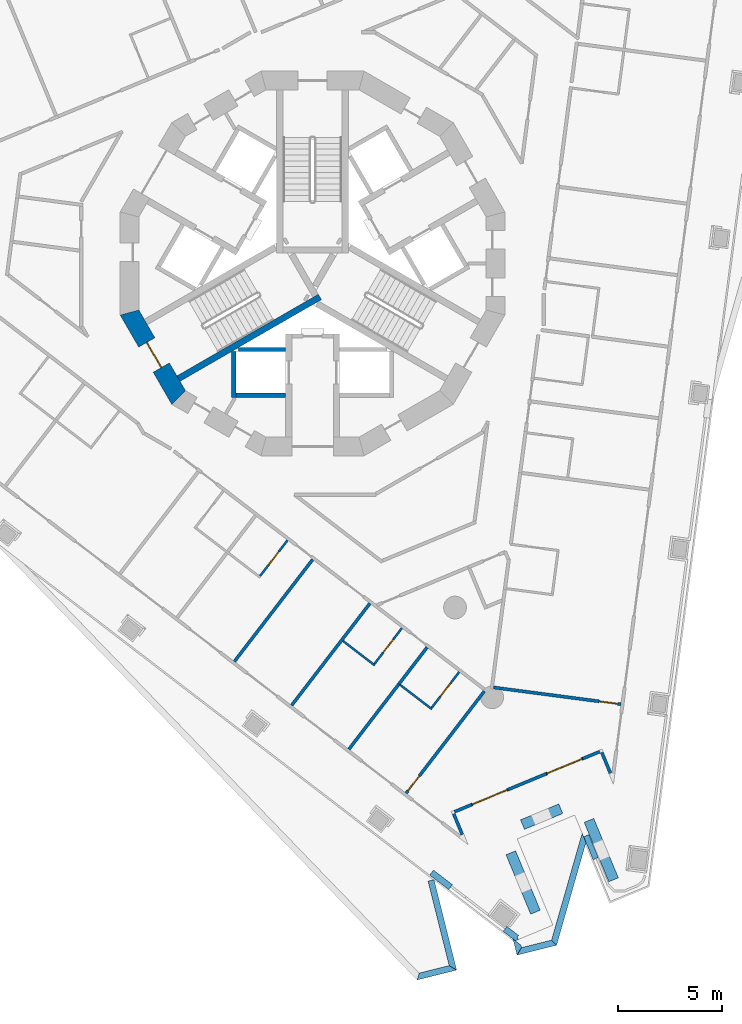
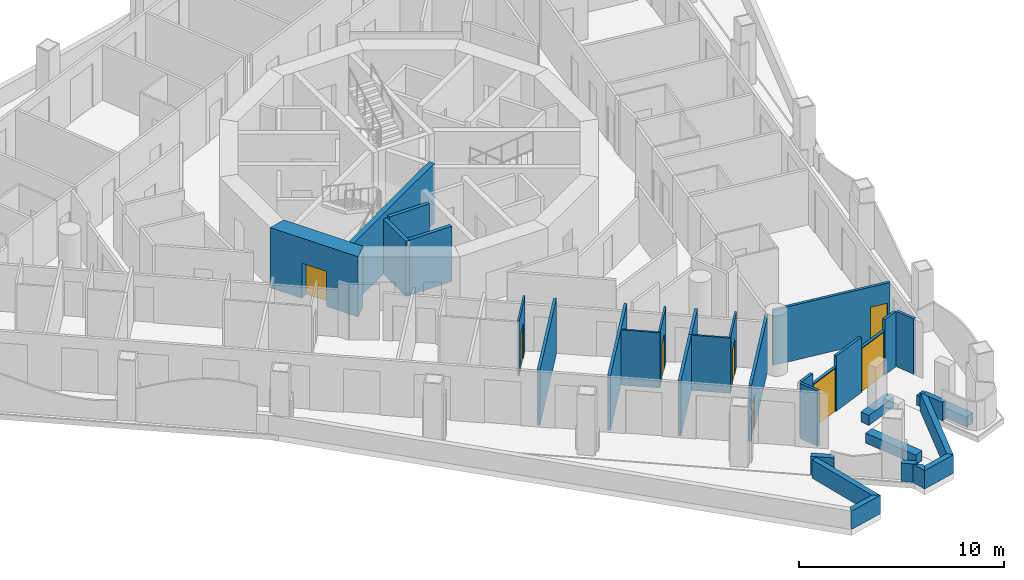
# One storey, part 3 of 19: 34 walls, 8 doors, 8 openings.
"""IFC4 building model written with IfcOpenShell, lengths in metres."""

import ifcopenshell
import ifcopenshell.guid

model = None  # the IFC model being written
_history = None  # IfcOwnerHistory: only IFC2X3 demands one
_inside = {}  # id of a spatial element -> (the spatial element, [elements in it])
_under = {}  # id of a project, library or spatial element -> (it, [spatial elements below it])
_declared = {}  # id of a project -> (the project, [libraries it declares])
_typed = {}  # id of a type object -> (the type object, [elements of that type])
_made_of = {}  # id of a material, layer set ... -> (it, [elements and type objects made of it])


def new_model(schema):
    """Start an empty IFC model of exactly this schema.

    Asked for "IFC4X3", IfcOpenShell would pick the latest addendum, in which some entities
    have other attributes; the version numbers below select the first issue.
    IFC2X3 requires an IfcOwnerHistory on every rooted entity: one is made here for all.
    """
    global model, _history
    if schema == "IFC4X3":
        model = ifcopenshell.file(schema_version=(4, 3, 0, 0))
    else:
        model = ifcopenshell.file(schema=schema)
    _inside.clear()
    _under.clear()
    _declared.clear()
    _typed.clear()
    _made_of.clear()
    _history = None
    if model.schema == "IFC2X3":
        org = make("IfcOrganization", Name="unknown")
        user = make(
            "IfcPersonAndOrganization",
            ThePerson=make("IfcPerson", FamilyName="unknown"),
            TheOrganization=org,
        )
        app = make(
            "IfcApplication",
            ApplicationDeveloper=org,
            Version="unknown",
            ApplicationFullName="unknown",
            ApplicationIdentifier="unknown",
        )
        _history = make(
            "IfcOwnerHistory",
            OwningUser=user,
            OwningApplication=app,
            ChangeAction="ADDED",
            CreationDate=0,
        )
    return model


def make(cls, **values):
    """One entity of the class cls with the attributes given. An attribute that is None is left unset."""
    return model.create_entity(
        cls, **{name: value for name, value in values.items() if value is not None}
    )


def rooted(cls, **values):
    """An entity with a GlobalId (a new one), such as an element, a storey or a relation."""
    return make(cls, GlobalId=ifcopenshell.guid.new(), OwnerHistory=_history, **values)


def si_unit(unit_type, name, prefix=None):
    """IfcSIUnit, for example si_unit("LENGTHUNIT", "METRE", prefix="MILLI")."""
    return make("IfcSIUnit", UnitType=unit_type, Prefix=prefix, Name=name)


def assignment(units):
    """IfcUnitAssignment: the units of a project."""
    return None if units is None else make("IfcUnitAssignment", Units=units)


def point(xyz):
    """IfcCartesianPoint."""
    return None if xyz is None else make("IfcCartesianPoint", Coordinates=xyz)


def direction(xyz):
    """IfcDirection."""
    return None if xyz is None else make("IfcDirection", DirectionRatios=xyz)


def frame(location, z_axis=None, x_axis=None):
    """IfcAxis2Placement3D, a coordinate frame: its origin and axes. An axis left out is left unset."""
    return make(
        "IfcAxis2Placement3D",
        Location=point(location),
        Axis=direction(z_axis),
        RefDirection=direction(x_axis),
    )


def frame_2d(location, x_axis=None):
    """IfcAxis2Placement2D, a coordinate frame in the plane: its origin and x axis."""
    return make(
        "IfcAxis2Placement2D", Location=point(location), RefDirection=direction(x_axis)
    )


def origin():
    """The frame at (0, 0, 0) with its axes left unset."""
    return frame((0.0, 0.0, 0.0))


def place(relative_to, where):
    """IfcLocalPlacement: puts the frame where relative to a parent placement (None: the world)."""
    return make(
        "IfcLocalPlacement", PlacementRelTo=relative_to, RelativePlacement=where
    )


def context(
    kind, dimensions, precision=None, world=None, true_north=None, identifier=None
):
    """IfcGeometricRepresentationContext, for example the 3D "Model" context."""
    return make(
        "IfcGeometricRepresentationContext",
        ContextIdentifier=identifier,
        ContextType=kind,
        CoordinateSpaceDimension=dimensions,
        Precision=precision,
        WorldCoordinateSystem=world,
        TrueNorth=true_north,
    )


def subcontext(parent, identifier, kind, view, scale=None):
    """IfcGeometricRepresentationSubContext, for example "Body" below "Model"."""
    return make(
        "IfcGeometricRepresentationSubContext",
        ContextIdentifier=identifier,
        ContextType=kind,
        ParentContext=parent,
        TargetScale=scale,
        TargetView=view,
    )


def project(units=None, contexts=None):
    """IfcProject with its units and contexts."""
    return rooted(
        "IfcProject",
        Name="project",
        RepresentationContexts=contexts,
        UnitsInContext=assignment(units),
    )


def spatial(cls, under=None, at=None, **own):
    """A site, building, storey or space (cls), placed at a placement, below another one or the project."""
    s = rooted(cls, ObjectPlacement=at, **own)
    if under is not None:
        _under.setdefault(under.id(), (under, []))[1].append(s)
    return s


def polyline(points):
    """IfcPolyline through the points."""
    return make("IfcPolyline", Points=[point(p) for p in points])


def profile(cls, at=None, kind="AREA", **sizes):
    """A parametric profile (cls). Its sizes go by their IFC names, for example OverallWidth=200.0."""
    return make(cls, ProfileType=kind, Position=at, **sizes)


def rectangle(**sizes):
    """IfcRectangleProfileDef."""
    return profile("IfcRectangleProfileDef", **sizes)


def outline(outer, holes=None, kind="AREA"):
    """IfcArbitraryClosedProfileDef: a profile drawn as a closed curve; with holes, ...WithVoids."""
    if holes is None:
        return make("IfcArbitraryClosedProfileDef", ProfileType=kind, OuterCurve=outer)
    return make(
        "IfcArbitraryProfileDefWithVoids",
        ProfileType=kind,
        OuterCurve=outer,
        InnerCurves=holes,
    )


def extrude(swept, where, along, depth):
    """IfcExtrudedAreaSolid: the profile swept, set in the frame where, extruded along a direction by depth."""
    return make(
        "IfcExtrudedAreaSolid",
        SweptArea=swept,
        Position=where,
        ExtrudedDirection=direction(along),
        Depth=depth,
    )


def shape(context_of_items, identifier, shape_type, items):
    """IfcShapeRepresentation: the items that make up one representation, for example the "Body"."""
    return make(
        "IfcShapeRepresentation",
        ContextOfItems=context_of_items,
        RepresentationIdentifier=identifier,
        RepresentationType=shape_type,
        Items=items,
    )


def material(Name=None, Category=None):
    """IfcMaterial."""
    return make("IfcMaterial", Name=Name, Category=Category)


def layer(
    of_material, thickness, ventilated=None, Name=None, Category=None, Priority=None
):
    """IfcMaterialLayer: one layer of a wall or slab, of a material (None: an air gap)."""
    return make(
        "IfcMaterialLayer",
        Material=of_material,
        LayerThickness=thickness,
        IsVentilated=ventilated,
        Name=Name,
        Category=Category,
        Priority=Priority,
    )


def layer_set(layers, Name=None):
    """IfcMaterialLayerSet."""
    return make("IfcMaterialLayerSet", MaterialLayers=layers, LayerSetName=Name)


def made_of(thing, what):
    """Note that an element or type object is made of a material, layer set ...; save() writes the relation."""
    if what is not None:
        _made_of.setdefault(what.id(), (what, []))[1].append(thing)
    return thing


def type_object(cls, material=None, **own):
    """A type object (cls), such as IfcWallType, which elements share."""
    return made_of(rooted(cls, **own), material)


def element(
    cls,
    number,
    at=None,
    inside=None,
    cuts=None,
    type_object=None,
    material=None,
    context=None,
    identifier="Body",
    shape_type=None,
    held_by="IfcProductDefinitionShape",
    body=None,
    shapes=None,
    **own,
):
    """One element of the class cls, such as IfcWall. Its Tag is "e" and its number.

    at: its placement. inside: the storey or other place that contains it. cuts: it is an
    opening in that element (IfcRelVoidsElement). A single representation is given by context,
    identifier, shape_type and body (its items); several are given by shapes. held_by: the class
    of the entity that holds the representations. save() writes the other relations.
    """
    e = rooted(cls, Tag="e%d" % number, ObjectPlacement=at, **own)
    if body is not None:
        shapes = [shape(context, identifier, shape_type, body)]
    if shapes is not None:
        e.Representation = make(held_by, Representations=shapes)
    if inside is not None:
        _inside.setdefault(inside.id(), (inside, []))[1].append(e)
    if cuts is not None:
        rooted(
            "IfcRelVoidsElement", RelatingBuildingElement=cuts, RelatedOpeningElement=e
        )
    if type_object is not None:
        _typed.setdefault(type_object.id(), (type_object, []))[1].append(e)
    return made_of(e, material)


def fill(opening, filler):
    """IfcRelFillsElement: the door or window that sits in an opening."""
    return rooted(
        "IfcRelFillsElement",
        RelatingOpeningElement=opening,
        RelatedBuildingElement=filler,
    )


def aggregate(whole, parts):
    """IfcRelAggregates: a whole, such as a stair, and the parts it consists of."""
    return rooted("IfcRelAggregates", RelatingObject=whole, RelatedObjects=parts)


def save(model, path):
    """Write the relations noted so far, then the file.

    IfcRelAggregates (storeys below a building ...), IfcRelContainedInSpatialStructure (elements
    in a storey), IfcRelDefinesByType, IfcRelAssociatesMaterial and IfcRelDeclares: one each for
    every whole, place, type object, material and project.
    """
    for whole, parts in _under.values():
        aggregate(whole, parts)
    for where, things in _inside.values():
        rooted(
            "IfcRelContainedInSpatialStructure",
            RelatedElements=things,
            RelatingStructure=where,
        )
    for kind, things in _typed.values():
        rooted("IfcRelDefinesByType", RelatedObjects=things, RelatingType=kind)
    for what, things in _made_of.values():
        rooted("IfcRelAssociatesMaterial", RelatedObjects=things, RelatingMaterial=what)
    for by, libraries in _declared.values():
        rooted("IfcRelDeclares", RelatingContext=by, RelatedDefinitions=libraries)
    model.write(path)


model = new_model("IFC4")

# Units and contexts
model_context = context("Model", 3, precision=1e-05, world=origin(), true_north=direction((0.0, 1.0)))
body_context = subcontext(model_context, "Body", "Model", "MODEL_VIEW")
ifc_project = project(units=[si_unit("LENGTHUNIT", "METRE"), si_unit("AREAUNIT", "SQUARE_METRE"), si_unit("VOLUMEUNIT", "CUBIC_METRE"), si_unit("PLANEANGLEUNIT", "RADIAN"), si_unit("MASSUNIT", "GRAM", prefix="KILO")], contexts=[model_context])

# Site, building, storey
site_placement = place(None, origin())
site = spatial("IfcSite", under=ifc_project, at=site_placement, CompositionType="ELEMENT")
building_placement = place(site_placement, origin())
building = spatial("IfcBuilding", under=site, at=building_placement, Name="Trine Commons Tower", CompositionType="ELEMENT")
storey_placement = place(building_placement, frame((0.0, 0.0, 124.199951171875)))
storey = spatial("IfcBuildingStorey", under=building, at=storey_placement, Name="L31", CompositionType="ELEMENT", Elevation=124.199951171875)

# Walls
ifc_material_1 = material(Name="Aluminium-framed insulated wall panel", Category="aluminium")
ifc_layer_1 = layer(ifc_material_1, 0.14990234375)
ifc_layer_set_1 = layer_set([ifc_layer_1], Name="Aluminium-framed insulated wall panel")
wall_type_1 = type_object("IfcWallType", Name="Glazed frame wall 150, EI 60", PredefinedType="SOLIDWALL", material=ifc_layer_set_1)
wall_1_placement = place(storey_placement, frame((94.42041015625, 37.78564453125, 0.0), z_axis=(0.0, 0.0, 1.0), x_axis=(-0.382629665579, 0.923901801611, 0.0)))
element("IfcWall", 1, at=wall_1_placement, inside=storey, type_object=wall_type_1, Name="Glazed frame wall R9", PredefinedType="SOLIDWALL", context=body_context, shape_type="SweptSolid", body=[
    extrude(outline(polyline([(0.1494140625, 0.074951171875), (0.1494140625, -0.074951171875), (1.235107421875, -0.074951171875), (1.235107421875, 0.074951171875), (0.1494140625, 0.074951171875)])), origin(), (0.0, 0.0, 1.0), 3.300048828125),
])
wall_2_placement = place(storey_placement, frame((93.951416015625, 39.009521484375, 0.0), z_axis=(0.0, 0.0, 1.0), x_axis=(-0.923826362943, -0.382811769845, 0.0)))
element("IfcWall", 2, at=wall_2_placement, inside=storey, type_object=wall_type_1, Name="Glazed frame wall P3.1", PredefinedType="SOLIDWALL", context=body_context, shape_type="SweptSolid", body=[
    extrude(outline(polyline([(0.110107421875, -0.074951171875), (1.0, -0.074951171875), (1.0, 0.074951171875), (0.110107421875, 0.074951171875), (0.110107421875, -0.074951171875)])), origin(), (0.0, 0.0, 1.0), 3.300048828125),
])

# Wall, opening, door
wall_3_placement = place(storey_placement, frame((93.027587890625, 38.626708984375, 0.0), z_axis=(0.0, 0.0, 1.0), x_axis=(-0.923888414498, -0.382661988648, 0.0)))
wall_3 = element("IfcWall", 3, at=wall_3_placement, inside=storey, type_object=wall_type_1, Name="Glazed frame wall P3.2", PredefinedType="SOLIDWALL", context=body_context, shape_type="SweptSolid", body=[
    extrude(outline(polyline([(0.0, -0.074951171875), (1.89990234375, -0.074951171875), (1.89990234375, 0.074951171875), (0.0, 0.074951171875), (0.0, -0.074951171875)])), origin(), (0.0, 0.0, 1.0), 2.650146484375),
])
opening_1_placement = place(wall_3_placement, frame((0.050048828125, 0.0, 0.0)))
opening_1 = element("IfcOpeningElement", 4, at=opening_1_placement, cuts=wall_3, Name="Opening BD-4P3-01", PredefinedType="OPENING", context=body_context, shape_type="SweptSolid", body=[
    extrude(rectangle(XDim=1.800048828125, YDim=2.60009765625, at=frame_2d((0.89990234375, 1.300048828125))), frame((0.0, 0.0849609375, 0.0), z_axis=(0.0, -1.0, 0.0), x_axis=(1.0, 0.0, 0.0)), (0.0, 0.0, 1.0), 0.169921875),
])
ifc_material_2 = material(Name="Anodised aluminium frame with double glazing", Category="aluminium")
door_type_1 = type_object("IfcDoorType", Name="Sliding loggia door 1800x2600", OperationType="SLIDING_TO_LEFT", PredefinedType="DOOR", material=ifc_material_2)
door_1_placement = place(opening_1_placement, origin())
door_1 = element("IfcDoor", 5, at=door_1_placement, inside=storey, type_object=door_type_1, Name="Loggia door P3 1", OperationType="SLIDING_TO_LEFT", OverallHeight=2.60009765625, OverallWidth=1.800048828125, PredefinedType="DOOR", context=body_context, shape_type="SweptSolid", body=[
    extrude(rectangle(XDim=1.800048828125, YDim=2.60009765625, at=frame_2d((0.89990234375, 1.300048828125))), frame((0.0, 0.02490234375, 0.0), z_axis=(0.0, -1.0, 0.0), x_axis=(1.0, 0.0, 0.0)), (0.0, 0.0, 1.0), 0.050048828125),
])
fill(opening_1, door_1)

# Wall
wall_4_placement = place(storey_placement, frame((91.272216796875, 37.899658203125, 0.0), z_axis=(0.0, 0.0, 1.0), x_axis=(-0.923887406181, -0.382664423091, 0.0)))
element("IfcWall", 6, at=wall_4_placement, inside=storey, type_object=wall_type_1, Name="Glazed frame wall P3.3", PredefinedType="SOLIDWALL", context=body_context, shape_type="SweptSolid", body=[
    extrude(outline(polyline([(0.0, -0.074951171875), (2.0, -0.074951171875), (2.0, 0.074951171875), (0.0, 0.074951171875), (0.0, -0.074951171875)])), origin(), (0.0, 0.0, 1.0), 3.300048828125),
])

# Wall, opening, door
wall_5_placement = place(storey_placement, frame((89.42431640625, 37.13427734375, 0.0), z_axis=(0.0, 0.0, 1.0), x_axis=(-0.923869595408, -0.382707421773, 0.0)))
wall_5 = element("IfcWall", 7, at=wall_5_placement, inside=storey, type_object=wall_type_1, Name="Glazed frame wall P3.4", PredefinedType="SOLIDWALL", context=body_context, shape_type="SweptSolid", body=[
    extrude(outline(polyline([(0.0, -0.074951171875), (1.89990234375, -0.074951171875), (1.89990234375, 0.074951171875), (0.0, 0.074951171875), (0.0, -0.074951171875)])), origin(), (0.0, 0.0, 1.0), 2.650146484375),
])
opening_2_placement = place(wall_5_placement, frame((0.050048828125, 0.0, 0.0)))
opening_2 = element("IfcOpeningElement", 8, at=opening_2_placement, cuts=wall_5, Name="Opening BD-4P3-02", PredefinedType="OPENING", context=body_context, shape_type="SweptSolid", body=[
    extrude(rectangle(XDim=1.800048828125, YDim=2.60009765625, at=frame_2d((0.89990234375, 1.300048828125))), frame((0.0, 0.0849609375, 0.0), z_axis=(0.0, -1.0, 0.0), x_axis=(1.0, 0.0, 0.0)), (0.0, 0.0, 1.0), 0.169921875),
])
door_2_placement = place(opening_2_placement, origin())
door_2 = element("IfcDoor", 9, at=door_2_placement, inside=storey, type_object=door_type_1, Name="Loggia door P3 2", OperationType="SLIDING_TO_LEFT", OverallHeight=2.60009765625, OverallWidth=1.800048828125, PredefinedType="DOOR", context=body_context, shape_type="SweptSolid", body=[
    extrude(rectangle(XDim=1.800048828125, YDim=2.60009765625, at=frame_2d((0.89990234375, 1.300048828125))), frame((0.0, 0.02490234375, 0.0), z_axis=(0.0, -1.0, 0.0), x_axis=(1.0, 0.0, 0.0)), (0.0, 0.0, 1.0), 0.050048828125),
])
fill(opening_2, door_2)

# Walls
wall_6_placement = place(storey_placement, frame((87.669189453125, 36.4072265625, 0.0), z_axis=(0.0, 0.0, 1.0), x_axis=(-0.923862128325, -0.382725447084, 0.0)))
element("IfcWall", 10, at=wall_6_placement, inside=storey, type_object=wall_type_1, Name="Glazed frame wall P3.5", PredefinedType="SOLIDWALL", context=body_context, shape_type="SweptSolid", body=[
    extrude(outline(polyline([(0.889892578125, 0.074951171875), (0.0, 0.074951171875), (0.0, -0.074951171875), (0.889892578125, -0.074951171875), (0.889892578125, 0.074951171875)])), origin(), (0.0, 0.0, 1.0), 3.300048828125),
])
wall_7_placement = place(storey_placement, frame((86.76416015625, 36.0703125, 0.0), z_axis=(0.0, 0.0, 1.0), x_axis=(0.382629665579, -0.923901801611, 0.0)))
element("IfcWall", 11, at=wall_7_placement, inside=storey, type_object=wall_type_1, Name="Glazed frame wall R11", PredefinedType="SOLIDWALL", context=body_context, shape_type="SweptSolid", body=[
    extrude(outline(polyline([(0.110107421875, 0.074951171875), (0.110107421875, -0.074951171875), (1.19580078125, -0.074951171875), (1.19580078125, 0.074951171875), (0.110107421875, 0.074951171875)])), origin(), (0.0, 0.0, 1.0), 3.300048828125),
])
ifc_material_3 = material(Name="Planter trough, precast concrete C40/50", Category="concrete")
ifc_layer_2 = layer(ifc_material_3, 0.5)
ifc_layer_set_2 = layer_set([ifc_layer_2], Name="Planter trough, precast concrete C40/50")
wall_type_2 = type_object("IfcWallType", Name="Planter trough 500x600", PredefinedType="PARAPET", material=ifc_layer_set_2)
wall_8_placement = place(storey_placement, frame((94.515625, 32.78662109375, 0.0), z_axis=(0.0, 0.0, 1.0), x_axis=(-0.382674068277, 0.923883411188, 0.0)))
element("IfcWall", 12, at=wall_8_placement, inside=storey, type_object=wall_type_2, Name="Planter 7", PredefinedType="PARAPET", context=body_context, shape_type="SweptSolid", body=[
    extrude(rectangle(XDim=3.099853515625, YDim=0.5, at=frame_2d((1.5498046875, 0.0))), origin(), (0.0, 0.0, 1.0), 0.60009765625),
])
wall_9_placement = place(storey_placement, frame((91.970703125, 36.21337890625, 0.0), z_axis=(0.0, 0.0, 1.0), x_axis=(-0.923930555985, -0.382560227567, 0.0)))
element("IfcWall", 13, at=wall_9_placement, inside=storey, type_object=wall_type_2, Name="Planter 8", PredefinedType="PARAPET", context=body_context, shape_type="SweptSolid", body=[
    extrude(rectangle(XDim=2.0, YDim=0.5, at=frame_2d((1.0, 0.0))), origin(), (0.0, 0.0, 1.0), 0.60009765625),
])
wall_10_placement = place(storey_placement, frame((89.56005859375, 34.08935546875, 0.0), z_axis=(0.0, 0.0, 1.0), x_axis=(0.382674068277, -0.923883411188, 0.0)))
element("IfcWall", 14, at=wall_10_placement, inside=storey, type_object=wall_type_2, Name="Planter 9", PredefinedType="PARAPET", context=body_context, shape_type="SweptSolid", body=[
    extrude(rectangle(XDim=3.099853515625, YDim=0.5, at=frame_2d((1.5498046875, 0.0))), origin(), (0.0, 0.0, 1.0), 0.60009765625),
])
ifc_material_4 = material(Name="Concrete C70/85", Category="concrete")
ifc_layer_3 = layer(ifc_material_4, 0.300048828125)
ifc_layer_set_3 = layer_set([ifc_layer_3], Name="Concrete C70/85")
wall_type_3 = type_object("IfcWallType", Name="RC shear wall 300 mm, C70/85", PredefinedType="SHEAR", material=ifc_layer_set_3)
wall_11_placement = place(storey_placement, frame((80.35400390625, 60.885986328125, 0.0), z_axis=(0.0, 0.0, 1.0), x_axis=(-0.866047706748, -0.499961368145, 0.0)))
element("IfcWall", 15, at=wall_11_placement, inside=storey, type_object=wall_type_3, Name="Core cross wall SWB-14 L31", PredefinedType="SHEAR", context=body_context, shape_type="SweptSolid", body=[
    extrude(rectangle(XDim=7.87255859375, YDim=0.300048828125, at=frame_2d((3.936279296875, 0.0))), origin(), (0.0, 0.0, 1.0), 3.60009765625),
])

# Wall, opening, door
ifc_layer_4 = layer(ifc_material_4, 0.89990234375)
ifc_layer_set_4 = layer_set([ifc_layer_4], Name="Concrete C70/85")
wall_type_4 = type_object("IfcWallType", Name="RC shear wall 900 mm, C70/85", PredefinedType="SHEAR", material=ifc_layer_set_4)
wall_12_placement = place(storey_placement, frame((71.11669921875, 60.240234375, 0.0), z_axis=(0.0, 0.0, 1.0), x_axis=(0.500038571144, -0.866003133579, 0.0)))
wall_12 = element("IfcWall", 16, at=wall_12_placement, inside=storey, type_object=wall_type_4, Name="Core wall CWD-08 L31", PredefinedType="SHEAR", context=body_context, shape_type="SweptSolid", body=[
    extrude(outline(polyline([(0.0, -0.449951171875), (4.96923828125, -0.449951171875), (4.72802734375, 0.449951171875), (0.2412109375, 0.449951171875), (0.0, -0.449951171875)])), origin(), (0.0, 0.0, 1.0), 3.60009765625),
])
opening_3_placement = place(wall_12_placement, frame((1.78466796875, 0.0, 0.0)))
opening_3 = element("IfcOpeningElement", 17, at=opening_3_placement, cuts=wall_12, Name="Opening K10.02", PredefinedType="OPENING", context=body_context, shape_type="SweptSolid", body=[
    extrude(rectangle(XDim=1.39990234375, YDim=2.10009765625, at=frame_2d((0.699951171875, 1.050048828125))), frame((0.0, 0.4599609375, 0.0), z_axis=(0.0, -1.0, 0.0), x_axis=(1.0, 0.0, 0.0)), (0.0, 0.0, 1.0), 0.919921875),
])
ifc_material_5 = material(Name="Steel door leaves, fire-rated", Category="steel")
door_type_2 = type_object("IfcDoorType", Name="Stair door, double leaf 1400 x 2100, FD90", OperationType="DOUBLE_DOOR_SINGLE_SWING", PredefinedType="DOOR", material=ifc_material_5)
door_3_placement = place(opening_3_placement, origin())
door_3 = element("IfcDoor", 18, at=door_3_placement, inside=storey, type_object=door_type_2, Name="Stair door to Exit stair ST2B L31", OperationType="DOUBLE_DOOR_SINGLE_SWING", OverallHeight=2.10009765625, OverallWidth=1.39990234375, PredefinedType="DOOR", context=body_context, shape_type="SweptSolid", body=[
    extrude(rectangle(XDim=1.39990234375, YDim=2.10009765625, at=frame_2d((0.699951171875, 1.050048828125))), frame((0.0, 0.02490234375, 0.0), z_axis=(0.0, -1.0, 0.0), x_axis=(1.0, 0.0, 0.0)), (0.0, 0.0, 1.0), 0.050048828125),
])
fill(opening_3, door_3)

# Walls
ifc_material_6 = material(Name="Fire-rated gypsum shaft wall system")
ifc_layer_5 = layer(ifc_material_6, 0.199951171875)
ifc_layer_set_5 = layer_set([ifc_layer_5], Name="Fire-rated gypsum shaft wall system")
wall_type_5 = type_object("IfcWallType", Name="Shaft wall 200 mm, EI 120", PredefinedType="PARTITIONING", material=ifc_layer_set_5)
wall_13_placement = place(storey_placement, frame((76.199951171875, 58.257080078125, 0.0), z_axis=(0.0, 0.0, 1.0), x_axis=(0.0, -1.0, 0.0)))
element("IfcWall", 19, at=wall_13_placement, inside=storey, type_object=wall_type_5, Name="Shaft wall L31", PredefinedType="PARTITIONING", context=body_context, shape_type="SweptSolid", body=[
    extrude(rectangle(XDim=2.20703125, YDim=0.199951171875, at=frame_2d((1.103515625, 0.0))), origin(), (0.0, 0.0, 1.0), 3.300048828125),
])
wall_14_placement = place(storey_placement, frame((78.699951171875, 56.14990234375, 0.0), z_axis=(0.0, 0.0, 1.0), x_axis=(-1.0, 0.0, 0.0)))
element("IfcWall", 20, at=wall_14_placement, inside=storey, type_object=wall_type_5, Name="Shaft wall L31", PredefinedType="PARTITIONING", context=body_context, shape_type="SweptSolid", body=[
    extrude(rectangle(XDim=2.39990234375, YDim=0.199951171875, at=frame_2d((1.199951171875, 0.0))), origin(), (0.0, 0.0, 1.0), 3.300048828125),
])
wall_15_placement = place(storey_placement, frame((78.699951171875, 58.35009765625, 0.0), z_axis=(0.0, 0.0, 1.0), x_axis=(-1.0, 0.0, 0.0)))
element("IfcWall", 21, at=wall_15_placement, inside=storey, type_object=wall_type_5, Name="Shaft wall L31", PredefinedType="PARTITIONING", context=body_context, shape_type="SweptSolid", body=[
    extrude(rectangle(XDim=2.264892578125, YDim=0.199951171875, at=frame_2d((1.13232421875, 0.0))), origin(), (0.0, 0.0, 1.0), 3.300048828125),
])
ifc_material_7 = material(Name="Limestone, honed", Category="masonry")
ifc_layer_6 = layer(ifc_material_7, 0.300048828125)
ifc_layer_set_6 = layer_set([ifc_layer_6], Name="Limestone, honed")
wall_type_6 = type_object("IfcWallType", Name="Stone parapet 300", PredefinedType="PARAPET", material=ifc_layer_set_6)
wall_16_placement = place(storey_placement, origin())
element("IfcWall", 22, at=wall_16_placement, inside=storey, type_object=wall_type_6, Name="Sliver roof parapet L30 3.2", PredefinedType="PARAPET", context=body_context, shape_type="SweptSolid", body=[
    extrude(outline(polyline([(85.04248046875, 27.9560546875), (86.948486328125, 28.43115234375), (86.584716796875, 28.649658203125), (85.13818359375, 28.2890625), (85.04248046875, 27.9560546875)])), origin(), (0.0, 0.0, 1.0), 1.10009765625),
])
wall_17_placement = place(storey_placement, origin())
element("IfcWall", 23, at=wall_17_placement, inside=storey, type_object=wall_type_6, Name="Sliver roof parapet L30 3.3", PredefinedType="PARAPET", context=body_context, shape_type="SweptSolid", body=[
    extrude(outline(polyline([(86.948486328125, 28.43115234375), (85.85986328125, 32.797607421875), (85.568603515625, 32.72509765625), (86.584716796875, 28.649658203125), (86.948486328125, 28.43115234375)])), origin(), (0.0, 0.0, 1.0), 1.10009765625),
])
wall_18_placement = place(storey_placement, origin())
element("IfcWall", 24, at=wall_18_placement, inside=storey, type_object=wall_type_6, Name="Sliver roof parapet extension L30 3.X2", PredefinedType="PARAPET", context=body_context, shape_type="SweptSolid", body=[
    extrude(outline(polyline([(85.831298828125, 33.253173828125), (85.648681640625, 33.01513671875), (86.56103515625, 32.315185546875), (86.74365234375, 32.552978515625), (85.831298828125, 33.253173828125)])), origin(), (0.0, 0.0, 1.0), 1.10009765625),
])
wall_19_placement = place(storey_placement, origin())
element("IfcWall", 25, at=wall_19_placement, inside=storey, type_object=wall_type_6, Name="Sliver roof parapet L30 4.1", PredefinedType="PARAPET", context=body_context, shape_type="SweptSolid", body=[
    extrude(outline(polyline([(91.764892578125, 29.632080078125), (93.185791015625, 34.58642578125), (93.001220703125, 35.03173828125), (91.5244140625, 29.88134765625), (91.764892578125, 29.632080078125)])), origin(), (0.0, 0.0, 1.0), 1.10009765625),
])
wall_20_placement = place(storey_placement, origin())
element("IfcWall", 26, at=wall_20_placement, inside=storey, type_object=wall_type_6, Name="Sliver roof parapet L30 4.2", PredefinedType="PARAPET", context=body_context, shape_type="SweptSolid", body=[
    extrude(outline(polyline([(89.666015625, 29.9326171875), (89.859375, 29.156982421875), (90.077880859375, 29.5205078125), (90.048095703125, 29.639404296875), (89.77490234375, 29.848876953125), (89.666015625, 29.9326171875)])), origin(), (0.0, 0.0, 1.0), 1.10009765625),
])
wall_21_placement = place(storey_placement, origin())
element("IfcWall", 27, at=wall_21_placement, inside=storey, type_object=wall_type_6, Name="Sliver roof parapet L30 4.3", PredefinedType="PARAPET", context=body_context, shape_type="SweptSolid", body=[
    extrude(outline(polyline([(89.859375, 29.156982421875), (91.764892578125, 29.632080078125), (91.5244140625, 29.88134765625), (90.077880859375, 29.5205078125), (89.859375, 29.156982421875)])), origin(), (0.0, 0.0, 1.0), 1.10009765625),
])
wall_22_placement = place(storey_placement, origin())
element("IfcWall", 28, at=wall_22_placement, inside=storey, type_object=wall_type_6, Name="Sliver roof parapet extension L30 4.X1", PredefinedType="PARAPET", context=body_context, shape_type="SweptSolid", body=[
    extrude(outline(polyline([(93.530029296875, 33.7548828125), (93.779541015625, 33.8583984375), (93.3203125, 34.967041015625), (93.07080078125, 34.86376953125), (93.24609375, 34.441162109375), (93.530029296875, 33.7548828125)])), origin(), (0.0, 0.0, 1.0), 1.10009765625),
])
wall_23_placement = place(storey_placement, origin())
element("IfcWall", 29, at=wall_23_placement, inside=storey, type_object=wall_type_6, Name="Sliver roof parapet extension L30 4.X2", PredefinedType="PARAPET", context=body_context, shape_type="SweptSolid", body=[
    extrude(outline(polyline([(89.753662109375, 29.865234375), (89.793701171875, 29.856689453125), (89.925048828125, 29.910888671875), (89.877197265625, 30.026611328125), (89.936279296875, 30.103271484375), (89.37255859375, 30.535888671875), (89.18994140625, 30.2978515625), (89.753662109375, 29.865234375)])), origin(), (0.0, 0.0, 1.0), 1.10009765625),
])
ifc_material_8 = material(Name="Gypsum plasterboard on steel stud", Category="steel")
ifc_layer_7 = layer(ifc_material_8, 0.14990234375)
ifc_layer_set_7 = layer_set([ifc_layer_7], Name="Gypsum plasterboard on steel stud")
wall_type_7 = type_object("IfcWallType", Name="Unit and corridor wall 150 mm, EI 60", PredefinedType="PARTITIONING", material=ifc_layer_set_7)
for number, where, z_axis, x_axis, name in (
    (30, (76.2353515625, 43.313720703125, 0.0), (0.0, 0.0, 1.0), (0.608811285709, 0.79331508141, 0.0), "Partition 057"),
    (31, (78.994384765625, 41.19677734375, 0.0), (0.0, 0.0, 1.0), (0.608811285709, 0.79331508141, 0.0), "Partition 061"),
):
    element("IfcWall", number, at=place(storey_placement, frame(where, z_axis=z_axis, x_axis=x_axis)), inside=storey, type_object=wall_type_7, Name=name, PredefinedType="PARTITIONING", context=body_context, shape_type="SweptSolid", body=[
        extrude(rectangle(XDim=6.194091796875, YDim=0.14990234375, at=frame_2d((3.09716796875, 0.0))), origin(), (0.0, 0.0, 1.0), 3.300048828125),
    ])
wall_24_placement = place(storey_placement, frame((81.75341796875, 39.07958984375, 0.0), z_axis=(0.0, 0.0, 1.0), x_axis=(0.608586492439, 0.793487543204, 0.0)))
element("IfcWall", 32, at=wall_24_placement, inside=storey, type_object=wall_type_7, Name="Partition 066", PredefinedType="PARTITIONING", context=body_context, shape_type="SweptSolid", body=[
    extrude(rectangle(XDim=3.968994140625, YDim=0.14990234375, at=frame_2d((1.984375, 0.0))), origin(), (0.0, 0.0, 1.0), 3.300048828125),
])
wall_25_placement = place(storey_placement, frame((84.1689453125, 42.22900390625, 0.0), z_axis=(0.0, 0.0, 1.0), x_axis=(0.609212171412, 0.793007269956, 0.0)))
element("IfcWall", 33, at=wall_25_placement, inside=storey, type_object=wall_type_7, Name="Partition 074", PredefinedType="PARTITIONING", context=body_context, shape_type="SweptSolid", body=[
    extrude(rectangle(XDim=2.224853515625, YDim=0.14990234375, at=frame_2d((1.1123046875, 0.0))), origin(), (0.0, 0.0, 1.0), 3.300048828125),
])

# Wall, opening, door
wall_26_placement = place(storey_placement, frame((84.51220703125, 36.962646484375, 0.0), z_axis=(0.0, 0.0, 1.0), x_axis=(0.608712047114, 0.79339122991, 0.0)))
wall_26 = element("IfcWall", 34, at=wall_26_placement, inside=storey, type_object=wall_type_7, Name="Partition 076", PredefinedType="PARTITIONING", context=body_context, shape_type="SweptSolid", body=[
    extrude(rectangle(XDim=6.193359375, YDim=0.14990234375, at=frame_2d((3.0966796875, 0.0))), origin(), (0.0, 0.0, 1.0), 3.300048828125),
])
opening_4_placement = place(wall_26_placement, frame((0.14990234375, 0.0, 0.0)))
opening_4 = element("IfcOpeningElement", 35, at=opening_4_placement, cuts=wall_26, Name="Opening D-4A23", PredefinedType="OPENING", context=body_context, shape_type="SweptSolid", body=[
    extrude(rectangle(XDim=0.89990234375, YDim=2.10009765625, at=frame_2d((0.449951171875, 1.050048828125))), frame((0.0, 0.0849609375, 0.0), z_axis=(0.0, -1.0, 0.0), x_axis=(1.0, 0.0, 0.0)), (0.0, 0.0, 1.0), 0.169921875),
])
ifc_material_9 = material(Name="Timber fire door set", Category="wood")
door_type_3 = type_object("IfcDoorType", Name="Bedroom door 900 x 2100, FD30S", OperationType="NOTDEFINED", PredefinedType="DOOR", material=ifc_material_9)
door_4_placement = place(opening_4_placement, origin())
door_4 = element("IfcDoor", 36, at=door_4_placement, inside=storey, type_object=door_type_3, Name="Door D-4A23", OperationType="SINGLE_SWING_LEFT", OverallHeight=2.10009765625, OverallWidth=0.89990234375, PredefinedType="DOOR", context=body_context, shape_type="SweptSolid", body=[
    extrude(rectangle(XDim=0.89990234375, YDim=2.10009765625, at=frame_2d((0.449951171875, 1.050048828125))), frame((0.0, 0.02490234375, 0.0), z_axis=(0.0, -1.0, 0.0), x_axis=(1.0, 0.0, 0.0)), (0.0, 0.0, 1.0), 0.050048828125),
])
fill(opening_4, door_4)

wall_27_placement = place(storey_placement, frame((88.725341796875, 42.060302734375, 0.0), z_axis=(0.0, 0.0, 1.0), x_axis=(0.991454966236, -0.130449415202, 0.0)))
wall_27 = element("IfcWall", 37, at=wall_27_placement, inside=storey, type_object=wall_type_7, Name="Partition 095", PredefinedType="PARTITIONING", context=body_context, shape_type="SweptSolid", body=[
    extrude(rectangle(XDim=6.19482421875, YDim=0.14990234375, at=frame_2d((3.097412109375, 0.0))), origin(), (0.0, 0.0, 1.0), 3.300048828125),
])
opening_5_placement = place(wall_27_placement, frame((5.14501953125, 0.0, 0.0)))
opening_5 = element("IfcOpeningElement", 38, at=opening_5_placement, cuts=wall_27, Name="Opening D-4A22", PredefinedType="OPENING", context=body_context, shape_type="SweptSolid", body=[
    extrude(rectangle(XDim=0.89990234375, YDim=2.10009765625, at=frame_2d((0.449951171875, 1.050048828125))), frame((0.0, 0.0849609375, 0.0), z_axis=(0.0, -1.0, 0.0), x_axis=(1.0, 0.0, 0.0)), (0.0, 0.0, 1.0), 0.169921875),
])
door_5_placement = place(opening_5_placement, origin())
door_5 = element("IfcDoor", 39, at=door_5_placement, inside=storey, type_object=door_type_3, Name="Door D-4A22", OperationType="SINGLE_SWING_RIGHT", OverallHeight=2.10009765625, OverallWidth=0.89990234375, PredefinedType="DOOR", context=body_context, shape_type="SweptSolid", body=[
    extrude(rectangle(XDim=0.89990234375, YDim=2.10009765625, at=frame_2d((0.449951171875, 1.050048828125))), frame((0.0, 0.02490234375, 0.0), z_axis=(0.0, -1.0, 0.0), x_axis=(1.0, 0.0, 0.0)), (0.0, 0.0, 1.0), 0.050048828125),
])
fill(opening_5, door_5)

ifc_layer_8 = layer(ifc_material_8, 0.10009765625)
ifc_layer_set_8 = layer_set([ifc_layer_8], Name="Gypsum plasterboard on steel stud")
wall_type_8 = type_object("IfcWallType", Name="Unit partition 100 mm, no rating", PredefinedType="PARTITIONING", material=ifc_layer_set_8)
wall_28_placement = place(storey_placement, frame((77.470458984375, 47.431640625, 0.0), z_axis=(0.0, 0.0, 1.0), x_axis=(0.608674216197, 0.79342025342, 0.0)))
wall_28 = element("IfcWall", 40, at=wall_28_placement, inside=storey, type_object=wall_type_8, Name="Partition 058", PredefinedType="PARTITIONING", context=body_context, shape_type="SweptSolid", body=[
    extrude(rectangle(XDim=2.17529296875, YDim=0.10009765625, at=frame_2d((1.087646484375, 0.0))), origin(), (0.0, 0.0, 1.0), 3.300048828125),
])
opening_6_placement = place(wall_28_placement, frame((0.6875, 0.0, 0.0)))
opening_6 = element("IfcOpeningElement", 41, at=opening_6_placement, cuts=wall_28, Name="Opening D-4A53", PredefinedType="OPENING", context=body_context, shape_type="SweptSolid", body=[
    extrude(rectangle(XDim=0.800048828125, YDim=2.10009765625, at=frame_2d((0.39990234375, 1.050048828125))), frame((0.0, 0.06005859375, 0.0), z_axis=(0.0, -1.0, 0.0), x_axis=(1.0, 0.0, 0.0)), (0.0, 0.0, 1.0), 0.1201171875),
])
ifc_material_10 = material(Name="Painted timber", Category="wood")
door_type_4 = type_object("IfcDoorType", Name="Internal door 800 x 2100, NOT RATED", OperationType="NOTDEFINED", PredefinedType="DOOR", material=ifc_material_10)
door_6_placement = place(opening_6_placement, frame((0.800048828125, 0.0, 0.0), z_axis=(0.0, 0.0, 1.0), x_axis=(-1.0, 0.0, 0.0)))
door_6 = element("IfcDoor", 42, at=door_6_placement, inside=storey, type_object=door_type_4, Name="Door D-4A53", OperationType="SINGLE_SWING_LEFT", OverallHeight=2.10009765625, OverallWidth=0.800048828125, PredefinedType="DOOR", context=body_context, shape_type="SweptSolid", body=[
    extrude(rectangle(XDim=0.800048828125, YDim=2.10009765625, at=frame_2d((0.39990234375, 1.050048828125))), frame((0.0, 0.02490234375, 0.0), z_axis=(0.0, -1.0, 0.0), x_axis=(1.0, 0.0, 0.0)), (0.0, 0.0, 1.0), 0.050048828125),
])
fill(opening_6, door_6)

# Wall
wall_29_placement = place(storey_placement, frame((81.470458984375, 44.30029296875, 0.0), z_axis=(0.0, 0.0, 1.0), x_axis=(0.793132716202, -0.609048844092, 0.0)))
element("IfcWall", 43, at=wall_29_placement, inside=storey, type_object=wall_type_8, Name="Partition 065", PredefinedType="PARTITIONING", context=body_context, shape_type="SweptSolid", body=[
    extrude(rectangle(XDim=1.92578125, YDim=0.10009765625, at=frame_2d((0.962890625, 0.0))), origin(), (0.0, 0.0, 1.0), 3.300048828125),
])

# Wall, opening, door
wall_30_placement = place(storey_placement, frame((82.98828125, 43.19775390625, 0.0), z_axis=(0.0, 0.0, 1.0), x_axis=(0.608744865415, 0.793366049709, 0.0)))
wall_30 = element("IfcWall", 44, at=wall_30_placement, inside=storey, type_object=wall_type_8, Name="Partition 069", PredefinedType="PARTITIONING", context=body_context, shape_type="SweptSolid", body=[
    extrude(rectangle(XDim=2.17529296875, YDim=0.10009765625, at=frame_2d((1.087646484375, 0.0))), origin(), (0.0, 0.0, 1.0), 3.300048828125),
])
opening_7_placement = place(wall_30_placement, frame((0.6875, 0.0, 0.0)))
opening_7 = element("IfcOpeningElement", 45, at=opening_7_placement, cuts=wall_30, Name="Opening D-4A52", PredefinedType="OPENING", context=body_context, shape_type="SweptSolid", body=[
    extrude(rectangle(XDim=0.800048828125, YDim=2.10009765625, at=frame_2d((0.39990234375, 1.050048828125))), frame((0.0, 0.06005859375, 0.0), z_axis=(0.0, -1.0, 0.0), x_axis=(1.0, 0.0, 0.0)), (0.0, 0.0, 1.0), 0.1201171875),
])
door_7_placement = place(opening_7_placement, frame((0.800048828125, 0.0, 0.0), z_axis=(0.0, 0.0, 1.0), x_axis=(-1.0, 0.0, 0.0)))
door_7 = element("IfcDoor", 46, at=door_7_placement, inside=storey, type_object=door_type_4, Name="Door D-4A52", OperationType="SINGLE_SWING_LEFT", OverallHeight=2.10009765625, OverallWidth=0.800048828125, PredefinedType="DOOR", context=body_context, shape_type="SweptSolid", body=[
    extrude(rectangle(XDim=0.800048828125, YDim=2.10009765625, at=frame_2d((0.39990234375, 1.050048828125))), frame((0.0, 0.02490234375, 0.0), z_axis=(0.0, -1.0, 0.0), x_axis=(1.0, 0.0, 0.0)), (0.0, 0.0, 1.0), 0.050048828125),
])
fill(opening_7, door_7)

# Wall
wall_31_placement = place(storey_placement, frame((84.228515625, 42.183349609375, 0.0), z_axis=(0.0, 0.0, 1.0), x_axis=(0.793391951231, -0.608711106948, 0.0)))
element("IfcWall", 47, at=wall_31_placement, inside=storey, type_object=wall_type_8, Name="Partition 075", PredefinedType="PARTITIONING", context=body_context, shape_type="SweptSolid", body=[
    extrude(rectangle(XDim=1.9248046875, YDim=0.10009765625, at=frame_2d((0.96240234375, 0.0))), origin(), (0.0, 0.0, 1.0), 3.300048828125),
])

# Wall, opening, door
wall_32_placement = place(storey_placement, frame((85.74658203125, 41.081787109375, 0.0), z_axis=(0.0, 0.0, 1.0), x_axis=(0.60915721009, 0.793049489878, 0.0)))
wall_32 = element("IfcWall", 48, at=wall_32_placement, inside=storey, type_object=wall_type_8, Name="Partition 079", PredefinedType="PARTITIONING", context=body_context, shape_type="SweptSolid", body=[
    extrude(rectangle(XDim=2.174560546875, YDim=0.10009765625, at=frame_2d((1.08740234375, 0.0))), origin(), (0.0, 0.0, 1.0), 3.300048828125),
])
opening_8_placement = place(wall_32_placement, frame((0.6875, 0.0, 0.0)))
opening_8 = element("IfcOpeningElement", 49, at=opening_8_placement, cuts=wall_32, Name="Opening D-4A51", PredefinedType="OPENING", context=body_context, shape_type="SweptSolid", body=[
    extrude(rectangle(XDim=0.800048828125, YDim=2.10009765625, at=frame_2d((0.39990234375, 1.050048828125))), frame((0.0, 0.06005859375, 0.0), z_axis=(0.0, -1.0, 0.0), x_axis=(1.0, 0.0, 0.0)), (0.0, 0.0, 1.0), 0.1201171875),
])
door_8_placement = place(opening_8_placement, frame((0.800048828125, 0.0, 0.0), z_axis=(0.0, 0.0, 1.0), x_axis=(-1.0, 0.0, 0.0)))
door_8 = element("IfcDoor", 50, at=door_8_placement, inside=storey, type_object=door_type_4, Name="Door D-4A51", OperationType="SINGLE_SWING_LEFT", OverallHeight=2.10009765625, OverallWidth=0.800048828125, PredefinedType="DOOR", context=body_context, shape_type="SweptSolid", body=[
    extrude(rectangle(XDim=0.800048828125, YDim=2.10009765625, at=frame_2d((0.39990234375, 1.050048828125))), frame((0.0, 0.02490234375, 0.0), z_axis=(0.0, -1.0, 0.0), x_axis=(1.0, 0.0, 0.0)), (0.0, 0.0, 1.0), 0.050048828125),
])
fill(opening_8, door_8)

save(model, "model.ifc")
